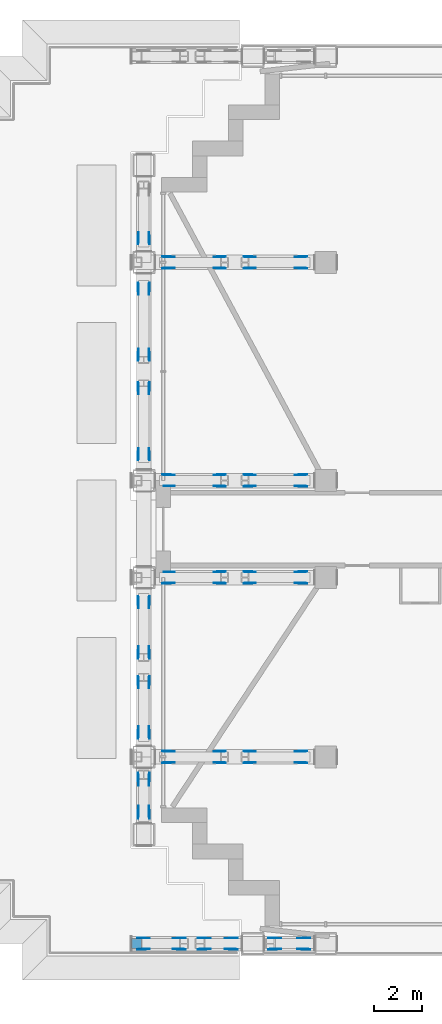
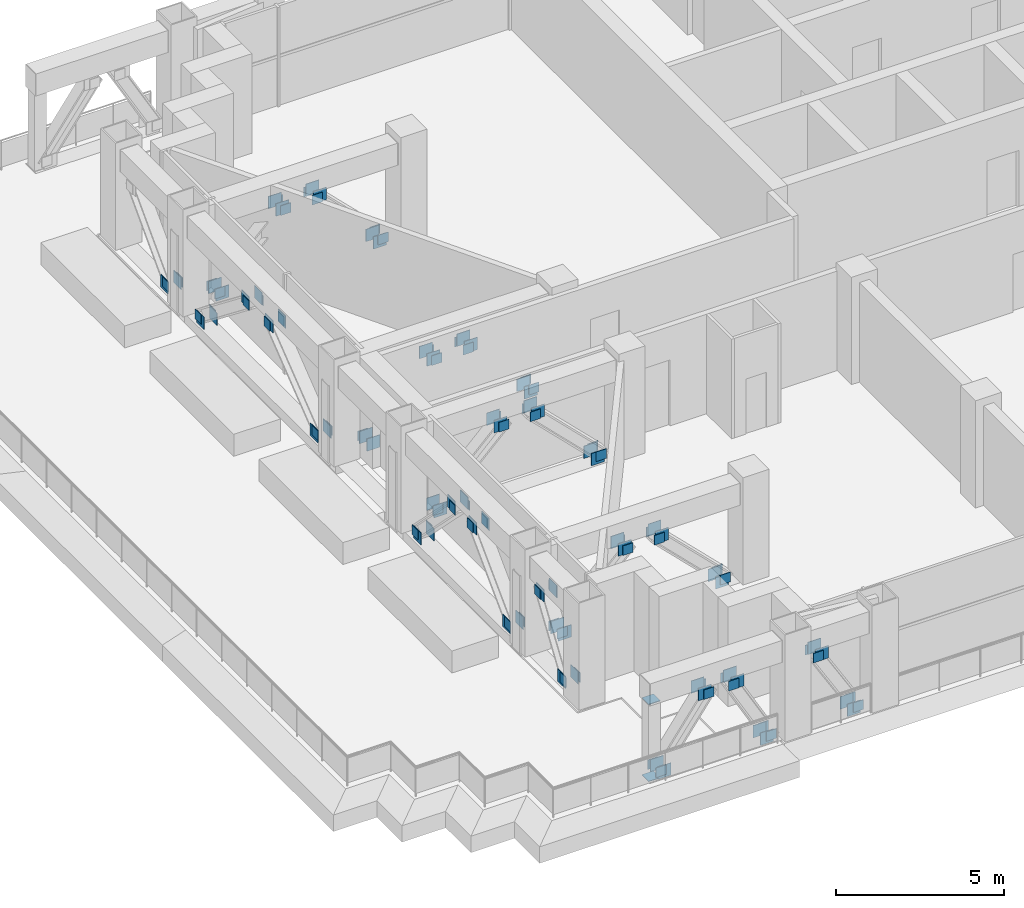
# One storey, part 13 of 19: 132 discrete accessories.
"""IFC4 building model written with IfcOpenShell, lengths in metres."""

from ifc_helpers import new_model, si_unit, direction, frame, origin, origin_2d, place, context, subcontext, project, spatial, rectangle, extrude, element, save


model = new_model("IFC4")

# Units and contexts
model_context = context("Model", 3, precision=1e-05, world=origin(), true_north=direction((0.0, 1.0)))
body_context = subcontext(model_context, "Body", "Model", "MODEL_VIEW")
ifc_project = project(units=[si_unit("LENGTHUNIT", "METRE"), si_unit("AREAUNIT", "SQUARE_METRE"), si_unit("VOLUMEUNIT", "CUBIC_METRE"), si_unit("PLANEANGLEUNIT", "RADIAN"), si_unit("MASSUNIT", "GRAM", prefix="KILO")], contexts=[model_context])

# Site, building, storey
site_placement = place(None, origin())
site = spatial("IfcSite", under=ifc_project, at=site_placement, CompositionType="ELEMENT")
building_placement = place(site_placement, origin())
building = spatial("IfcBuilding", under=site, at=building_placement, Name="Vidyagriha Tower", CompositionType="ELEMENT")
storey_placement = place(building_placement, frame((0.0, 0.0, 73.60009765625)))
storey = spatial("IfcBuildingStorey", under=building, at=storey_placement, Name="L18", CompositionType="ELEMENT", Elevation=73.60009765625)

# Discrete accessories
for number, where, name in (
    (1, (-29.4755859375, -16.878173828125, 0.0), "Truss gusset plate ASTM A572 Grade 50 20mm"),
    (2, (-29.4755859375, -17.32177734375, 0.0), "Truss gusset plate ASTM A572 Grade 50 20mm"),
    (3, (-28.07421875, -16.878173828125, 2.3701171875), "Truss gusset plate ASTM A572 Grade 50 20mm"),
    (4, (-28.07421875, -17.32177734375, 2.3701171875), "Truss gusset plate ASTM A572 Grade 50 20mm"),
    (5, (-26.9599609375, -16.878173828125, 2.3701171875), "Truss gusset plate ASTM A572 Grade 50 20mm"),
    (6, (-26.9599609375, -17.32177734375, 2.3701171875), "Truss gusset plate ASTM A572 Grade 50 20mm"),
    (7, (-25.940185546875, -16.878173828125, 0.0), "Truss gusset plate ASTM A572 Grade 50 20mm"),
    (8, (-25.940185546875, -17.32177734375, 0.0), "Truss gusset plate ASTM A572 Grade 50 20mm"),
    (9, (-24.052734375, -16.878173828125, 2.3701171875), "Truss gusset plate ASTM A572 Grade 50 20mm"),
    (10, (-24.052734375, -17.32177734375, 2.3701171875), "Truss gusset plate ASTM A572 Grade 50 20mm"),
    (11, (-22.947265625, -16.878173828125, 0.0), "Truss gusset plate ASTM A572 Grade 50 20mm"),
    (12, (-22.947265625, -17.32177734375, 0.0), "Truss gusset plate ASTM A572 Grade 50 20mm"),
    (13, (-28.4580078125, -9.17822265625, 0.0), "Truss gusset plate ASTM A572 Grade 50 20mm"),
    (14, (-28.4580078125, -9.621826171875, 0.0), "Truss gusset plate ASTM A572 Grade 50 20mm"),
    (15, (-26.39208984375, -9.17822265625, 2.3701171875), "Truss gusset plate ASTM A572 Grade 50 20mm"),
    (16, (-26.39208984375, -9.621826171875, 2.3701171875), "Truss gusset plate ASTM A572 Grade 50 20mm"),
    (17, (-25.10791015625, -9.17822265625, 2.3701171875), "Truss gusset plate ASTM A572 Grade 50 20mm"),
    (18, (-25.10791015625, -9.621826171875, 2.3701171875), "Truss gusset plate ASTM A572 Grade 50 20mm"),
    (19, (-23.0419921875, -9.17822265625, 0.0), "Truss gusset plate ASTM A572 Grade 50 20mm"),
    (20, (-23.0419921875, -9.621826171875, 0.0), "Truss gusset plate ASTM A572 Grade 50 20mm"),
    (21, (-28.4580078125, -1.778076171875, 0.0), "Truss gusset plate ASTM A572 Grade 50 20mm"),
    (22, (-28.4580078125, -2.221923828125, 0.0), "Truss gusset plate ASTM A572 Grade 50 20mm"),
    (23, (-26.39208984375, -1.778076171875, 2.3701171875), "Truss gusset plate ASTM A572 Grade 50 20mm"),
    (24, (-26.39208984375, -2.221923828125, 2.3701171875), "Truss gusset plate ASTM A572 Grade 50 20mm"),
    (25, (-25.10791015625, -1.778076171875, 2.3701171875), "Truss gusset plate ASTM A572 Grade 50 20mm"),
    (26, (-25.10791015625, -2.221923828125, 2.3701171875), "Truss gusset plate ASTM A572 Grade 50 20mm"),
    (27, (-23.0419921875, -1.778076171875, 0.0), "Truss gusset plate ASTM A572 Grade 50 20mm"),
    (28, (-23.0419921875, -2.221923828125, 0.0), "Truss gusset plate ASTM A572 Grade 50 20mm"),
    (29, (-28.4580078125, 2.221923828125, 0.0), "Truss gusset plate ASTM A572 Grade 50 20mm"),
    (30, (-28.4580078125, 1.778076171875, 0.0), "Truss gusset plate ASTM A572 Grade 50 20mm"),
    (31, (-26.39208984375, 2.221923828125, 2.3701171875), "Truss gusset plate ASTM A572 Grade 50 20mm"),
    (32, (-26.39208984375, 1.778076171875, 2.3701171875), "Truss gusset plate ASTM A572 Grade 50 20mm"),
    (33, (-25.10791015625, 2.221923828125, 2.3701171875), "Truss gusset plate ASTM A572 Grade 50 20mm"),
    (34, (-25.10791015625, 1.778076171875, 2.3701171875), "Truss gusset plate ASTM A572 Grade 50 20mm"),
    (35, (-23.0419921875, 2.221923828125, 0.0), "Truss gusset plate ASTM A572 Grade 50 20mm"),
    (36, (-23.0419921875, 1.778076171875, 0.0), "Truss gusset plate ASTM A572 Grade 50 20mm"),
    (37, (-28.4580078125, 11.221923828125, 0.0), "Truss gusset plate ASTM A572 Grade 50 20mm"),
    (38, (-28.4580078125, 10.778076171875, 0.0), "Truss gusset plate ASTM A572 Grade 50 20mm"),
    (39, (-26.39208984375, 11.221923828125, 2.3701171875), "Truss gusset plate ASTM A572 Grade 50 20mm"),
    (40, (-26.39208984375, 10.778076171875, 2.3701171875), "Truss gusset plate ASTM A572 Grade 50 20mm"),
    (41, (-25.10791015625, 11.221923828125, 2.3701171875), "Truss gusset plate ASTM A572 Grade 50 20mm"),
    (42, (-25.10791015625, 10.778076171875, 2.3701171875), "Truss gusset plate ASTM A572 Grade 50 20mm"),
    (43, (-23.0419921875, 11.221923828125, 0.0), "Truss gusset plate ASTM A572 Grade 50 20mm"),
    (44, (-23.0419921875, 10.778076171875, 0.0), "Truss gusset plate ASTM A572 Grade 50 20mm"),
):
    element("IfcDiscreteAccessory", number, at=place(storey_placement, frame(where)), inside=storey, Name=name, ObjectType="GUSSET PLATE", PredefinedType="USERDEFINED", context=body_context, shape_type="SweptSolid", body=[
        extrude(rectangle(XDim=0.449951171875, YDim=0.02001953125, at=origin_2d()), origin(), (0.0, 0.0, 1.0), 0.449951171875),
    ])
for number, where, z_axis, x_axis, name in (
    (45, (-29.721923828125, -11.637451171875, 0.0), (0.0, 0.0, 1.0), (0.0, 1.0, 0.0), "Truss gusset plate ASTM A572 Grade 50 20mm"),
    (46, (-29.278076171875, -11.637451171875, 0.0), (0.0, 0.0, 1.0), (0.0, 1.0, 0.0), "Truss gusset plate ASTM A572 Grade 50 20mm"),
    (47, (-29.721923828125, -10.362548828125, 2.3701171875), (0.0, 0.0, 1.0), (0.0, 1.0, 0.0), "Truss gusset plate ASTM A572 Grade 50 20mm"),
    (48, (-29.278076171875, -10.362548828125, 2.3701171875), (0.0, 0.0, 1.0), (0.0, 1.0, 0.0), "Truss gusset plate ASTM A572 Grade 50 20mm"),
    (49, (-29.721923828125, -8.3623046875, 0.0), (0.0, 0.0, 1.0), (0.0, 1.0, 0.0), "Truss gusset plate ASTM A572 Grade 50 20mm"),
    (50, (-29.278076171875, -8.3623046875, 0.0), (0.0, 0.0, 1.0), (0.0, 1.0, 0.0), "Truss gusset plate ASTM A572 Grade 50 20mm"),
    (51, (-29.721923828125, -6.337646484375, 2.3701171875), (0.0, 0.0, 1.0), (0.0, 1.0, 0.0), "Truss gusset plate ASTM A572 Grade 50 20mm"),
    (52, (-29.278076171875, -6.337646484375, 2.3701171875), (0.0, 0.0, 1.0), (0.0, 1.0, 0.0), "Truss gusset plate ASTM A572 Grade 50 20mm"),
    (53, (-29.721923828125, -5.0625, 2.3701171875), (0.0, 0.0, 1.0), (0.0, 1.0, 0.0), "Truss gusset plate ASTM A572 Grade 50 20mm"),
    (54, (-29.278076171875, -5.0625, 2.3701171875), (0.0, 0.0, 1.0), (0.0, 1.0, 0.0), "Truss gusset plate ASTM A572 Grade 50 20mm"),
    (55, (-29.721923828125, -3.03759765625, 0.0), (0.0, 0.0, 1.0), (0.0, 1.0, 0.0), "Truss gusset plate ASTM A572 Grade 50 20mm"),
    (56, (-29.278076171875, -3.03759765625, 0.0), (0.0, 0.0, 1.0), (0.0, 1.0, 0.0), "Truss gusset plate ASTM A572 Grade 50 20mm"),
    (57, (-29.721923828125, 3.108642578125, 0.0), (0.0, 0.0, 1.0), (0.0, 1.0, 0.0), "Truss gusset plate ASTM A572 Grade 50 20mm"),
    (58, (-29.278076171875, 3.108642578125, 0.0), (0.0, 0.0, 1.0), (0.0, 1.0, 0.0), "Truss gusset plate ASTM A572 Grade 50 20mm"),
    (59, (-29.721923828125, 5.79150390625, 2.3701171875), (0.0, 0.0, 1.0), (0.0, 1.0, 0.0), "Truss gusset plate ASTM A572 Grade 50 20mm"),
    (60, (-29.278076171875, 5.79150390625, 2.3701171875), (0.0, 0.0, 1.0), (0.0, 1.0, 0.0), "Truss gusset plate ASTM A572 Grade 50 20mm"),
    (61, (-29.721923828125, 7.20849609375, 2.3701171875), (0.0, 0.0, 1.0), (0.0, 1.0, 0.0), "Truss gusset plate ASTM A572 Grade 50 20mm"),
    (62, (-29.278076171875, 7.20849609375, 2.3701171875), (0.0, 0.0, 1.0), (0.0, 1.0, 0.0), "Truss gusset plate ASTM A572 Grade 50 20mm"),
    (63, (-29.721923828125, 9.891357421875, 0.0), (0.0, 0.0, 1.0), (0.0, 1.0, 0.0), "Truss gusset plate ASTM A572 Grade 50 20mm"),
    (64, (-29.278076171875, 9.891357421875, 0.0), (0.0, 0.0, 1.0), (0.0, 1.0, 0.0), "Truss gusset plate ASTM A572 Grade 50 20mm"),
    (65, (-29.721923828125, 12.02880859375, 0.0), (0.0, 0.0, 1.0), (0.0, 1.0, 0.0), "Truss gusset plate ASTM A572 Grade 50 20mm"),
    (66, (-29.278076171875, 12.02880859375, 0.0), (0.0, 0.0, 1.0), (0.0, 1.0, 0.0), "Truss gusset plate ASTM A572 Grade 50 20mm"),
):
    element("IfcDiscreteAccessory", number, at=place(storey_placement, frame(where, z_axis=z_axis, x_axis=x_axis)), inside=storey, Name=name, ObjectType="GUSSET PLATE", PredefinedType="USERDEFINED", context=body_context, shape_type="SweptSolid", body=[
        extrude(rectangle(XDim=0.449951171875, YDim=0.02001953125, at=origin_2d()), origin(), (0.0, 0.0, 1.0), 0.449951171875),
    ])
for number, where, z_axis, x_axis, name in (
    (67, (-29.597900390625, -17.34228515625, 0.10302734375), (0.0, 0.0, 1.0), (-1.0, 0.0, 0.0), "End plate ASTM A572 Grade 50 20mm"),
    (68, (-29.597900390625, -16.857666015625, 0.10302734375), (0.0, 0.0, 1.0), (-1.0, 0.0, 0.0), "End plate ASTM A572 Grade 50 20mm"),
):
    element("IfcDiscreteAccessory", number, at=place(storey_placement, frame(where, z_axis=z_axis, x_axis=x_axis)), inside=storey, Name=name, ObjectType="END PLATE", PredefinedType="USERDEFINED", context=body_context, shape_type="SweptSolid", body=[
        extrude(rectangle(XDim=0.35009765625, YDim=0.02001953125, at=origin_2d()), origin(), (0.0, 0.0, 1.0), 0.35009765625),
    ])
for number, where, name in (
    (69, (-27.9521484375, -16.857666015625, 2.36669921875), "End plate ASTM A572 Grade 50 20mm"),
    (70, (-27.9521484375, -17.34228515625, 2.36669921875), "End plate ASTM A572 Grade 50 20mm"),
):
    element("IfcDiscreteAccessory", number, at=place(storey_placement, frame(where)), inside=storey, Name=name, ObjectType="END PLATE", PredefinedType="USERDEFINED", context=body_context, shape_type="SweptSolid", body=[
        extrude(rectangle(XDim=0.35009765625, YDim=0.02001953125, at=origin_2d()), origin(), (0.0, 0.0, 1.0), 0.35009765625),
    ])
for number, where, z_axis, x_axis, name in (
    (71, (-27.098388671875, -17.34228515625, 2.3779296875), (0.0, 0.0, 1.0), (-1.0, 0.0, 0.0), "End plate ASTM A572 Grade 50 20mm"),
    (72, (-27.098388671875, -16.857666015625, 2.3779296875), (0.0, 0.0, 1.0), (-1.0, 0.0, 0.0), "End plate ASTM A572 Grade 50 20mm"),
):
    element("IfcDiscreteAccessory", number, at=place(storey_placement, frame(where, z_axis=z_axis, x_axis=x_axis)), inside=storey, Name=name, ObjectType="END PLATE", PredefinedType="USERDEFINED", context=body_context, shape_type="SweptSolid", body=[
        extrude(rectangle(XDim=0.35009765625, YDim=0.02001953125, at=origin_2d()), origin(), (0.0, 0.0, 1.0), 0.35009765625),
    ])
for number, where, name in (
    (73, (-25.801513671875, -16.857666015625, 0.091796875), "End plate ASTM A572 Grade 50 20mm"),
    (74, (-25.801513671875, -17.34228515625, 0.091796875), "End plate ASTM A572 Grade 50 20mm"),
):
    element("IfcDiscreteAccessory", number, at=place(storey_placement, frame(where)), inside=storey, Name=name, ObjectType="END PLATE", PredefinedType="USERDEFINED", context=body_context, shape_type="SweptSolid", body=[
        extrude(rectangle(XDim=0.35009765625, YDim=0.02001953125, at=origin_2d()), origin(), (0.0, 0.0, 1.0), 0.35009765625),
    ])
for number, where, z_axis, x_axis, name in (
    (75, (-24.187255859375, -17.34228515625, 2.375), (0.0, 0.0, 1.0), (-1.0, 0.0, 0.0), "End plate ASTM A572 Grade 50 20mm"),
    (76, (-24.187255859375, -16.857666015625, 2.375), (0.0, 0.0, 1.0), (-1.0, 0.0, 0.0), "End plate ASTM A572 Grade 50 20mm"),
):
    element("IfcDiscreteAccessory", number, at=place(storey_placement, frame(where, z_axis=z_axis, x_axis=x_axis)), inside=storey, Name=name, ObjectType="END PLATE", PredefinedType="USERDEFINED", context=body_context, shape_type="SweptSolid", body=[
        extrude(rectangle(XDim=0.35009765625, YDim=0.02001953125, at=origin_2d()), origin(), (0.0, 0.0, 1.0), 0.35009765625),
    ])
for number, where, name in (
    (77, (-22.812744140625, -16.857666015625, 0.0947265625), "End plate ASTM A572 Grade 50 20mm"),
    (78, (-22.812744140625, -17.34228515625, 0.0947265625), "End plate ASTM A572 Grade 50 20mm"),
):
    element("IfcDiscreteAccessory", number, at=place(storey_placement, frame(where)), inside=storey, Name=name, ObjectType="END PLATE", PredefinedType="USERDEFINED", context=body_context, shape_type="SweptSolid", body=[
        extrude(rectangle(XDim=0.35009765625, YDim=0.02001953125, at=origin_2d()), origin(), (0.0, 0.0, 1.0), 0.35009765625),
    ])
for number, where, name in (
    (79, (-29.796875, -17.10009765625, -0.00048828125), "End plate ASTM A572 Grade 50 20mm"),
    (80, (-29.796875, -17.10009765625, 2.80029296875), "End plate ASTM A572 Grade 50 20mm"),
):
    element("IfcDiscreteAccessory", number, at=place(storey_placement, frame(where)), inside=storey, Name=name, ObjectType="END PLATE", PredefinedType="USERDEFINED", context=body_context, shape_type="SweptSolid", body=[
        extrude(rectangle(XDim=0.406494140625, YDim=0.406494140625, at=origin_2d()), origin(), (0.0, 0.0, 1.0), 0.02001953125),
    ])
for number, where, z_axis, x_axis, name in (
    (81, (-28.55859375, -9.642333984375, 0.113037109375), (0.0, 0.0, 1.0), (-1.0, 0.0, 0.0), "End plate ASTM A572 Grade 50 20mm"),
    (82, (-28.55859375, -9.15771484375, 0.113037109375), (0.0, 0.0, 1.0), (-1.0, 0.0, 0.0), "End plate ASTM A572 Grade 50 20mm"),
):
    element("IfcDiscreteAccessory", number, at=place(storey_placement, frame(where, z_axis=z_axis, x_axis=x_axis)), inside=storey, Name=name, ObjectType="END PLATE", PredefinedType="USERDEFINED", context=body_context, shape_type="SweptSolid", body=[
        extrude(rectangle(XDim=0.35009765625, YDim=0.02001953125, at=origin_2d()), origin(), (0.0, 0.0, 1.0), 0.35009765625),
    ])
for number, where, name in (
    (83, (-26.29150390625, -9.15771484375, 2.3564453125), "End plate ASTM A572 Grade 50 20mm"),
    (84, (-26.29150390625, -9.642333984375, 2.3564453125), "End plate ASTM A572 Grade 50 20mm"),
):
    element("IfcDiscreteAccessory", number, at=place(storey_placement, frame(where)), inside=storey, Name=name, ObjectType="END PLATE", PredefinedType="USERDEFINED", context=body_context, shape_type="SweptSolid", body=[
        extrude(rectangle(XDim=0.35009765625, YDim=0.02001953125, at=origin_2d()), origin(), (0.0, 0.0, 1.0), 0.35009765625),
    ])
for number, where, z_axis, x_axis, name in (
    (85, (-25.20849609375, -9.642333984375, 2.3564453125), (0.0, 0.0, 1.0), (-1.0, 0.0, 0.0), "End plate ASTM A572 Grade 50 20mm"),
    (86, (-25.20849609375, -9.15771484375, 2.3564453125), (0.0, 0.0, 1.0), (-1.0, 0.0, 0.0), "End plate ASTM A572 Grade 50 20mm"),
):
    element("IfcDiscreteAccessory", number, at=place(storey_placement, frame(where, z_axis=z_axis, x_axis=x_axis)), inside=storey, Name=name, ObjectType="END PLATE", PredefinedType="USERDEFINED", context=body_context, shape_type="SweptSolid", body=[
        extrude(rectangle(XDim=0.35009765625, YDim=0.02001953125, at=origin_2d()), origin(), (0.0, 0.0, 1.0), 0.35009765625),
    ])
for number, where, name in (
    (87, (-22.94140625, -9.15771484375, 0.113037109375), "End plate ASTM A572 Grade 50 20mm"),
    (88, (-22.94140625, -9.642333984375, 0.113037109375), "End plate ASTM A572 Grade 50 20mm"),
):
    element("IfcDiscreteAccessory", number, at=place(storey_placement, frame(where)), inside=storey, Name=name, ObjectType="END PLATE", PredefinedType="USERDEFINED", context=body_context, shape_type="SweptSolid", body=[
        extrude(rectangle(XDim=0.35009765625, YDim=0.02001953125, at=origin_2d()), origin(), (0.0, 0.0, 1.0), 0.35009765625),
    ])
discrete_accessory_1_placement = place(storey_placement, frame((-28.55859375, -2.242431640625, 0.113037109375), z_axis=(0.0, 0.0, 1.0), x_axis=(-1.0, 0.0, 0.0)))
element("IfcDiscreteAccessory", 89, at=discrete_accessory_1_placement, inside=storey, Name="End plate ASTM A572 Grade 50 20mm", ObjectType="END PLATE", PredefinedType="USERDEFINED", context=body_context, shape_type="SweptSolid", body=[
    extrude(rectangle(XDim=0.35009765625, YDim=0.02001953125, at=origin_2d()), origin(), (0.0, 0.0, 1.0), 0.35009765625),
])
for number, where, name in (
    (90, (-26.29150390625, -1.757568359375, 2.3564453125), "End plate ASTM A572 Grade 50 20mm"),
    (91, (-26.29150390625, -2.242431640625, 2.3564453125), "End plate ASTM A572 Grade 50 20mm"),
):
    element("IfcDiscreteAccessory", number, at=place(storey_placement, frame(where)), inside=storey, Name=name, ObjectType="END PLATE", PredefinedType="USERDEFINED", context=body_context, shape_type="SweptSolid", body=[
        extrude(rectangle(XDim=0.35009765625, YDim=0.02001953125, at=origin_2d()), origin(), (0.0, 0.0, 1.0), 0.35009765625),
    ])
for number, where, z_axis, x_axis, name in (
    (92, (-25.20849609375, -2.242431640625, 2.3564453125), (0.0, 0.0, 1.0), (-1.0, 0.0, 0.0), "End plate ASTM A572 Grade 50 20mm"),
    (93, (-25.20849609375, -1.757568359375, 2.3564453125), (0.0, 0.0, 1.0), (-1.0, 0.0, 0.0), "End plate ASTM A572 Grade 50 20mm"),
):
    element("IfcDiscreteAccessory", number, at=place(storey_placement, frame(where, z_axis=z_axis, x_axis=x_axis)), inside=storey, Name=name, ObjectType="END PLATE", PredefinedType="USERDEFINED", context=body_context, shape_type="SweptSolid", body=[
        extrude(rectangle(XDim=0.35009765625, YDim=0.02001953125, at=origin_2d()), origin(), (0.0, 0.0, 1.0), 0.35009765625),
    ])
for number, where, name in (
    (94, (-22.94140625, -1.757568359375, 0.113037109375), "End plate ASTM A572 Grade 50 20mm"),
    (95, (-22.94140625, -2.242431640625, 0.113037109375), "End plate ASTM A572 Grade 50 20mm"),
):
    element("IfcDiscreteAccessory", number, at=place(storey_placement, frame(where)), inside=storey, Name=name, ObjectType="END PLATE", PredefinedType="USERDEFINED", context=body_context, shape_type="SweptSolid", body=[
        extrude(rectangle(XDim=0.35009765625, YDim=0.02001953125, at=origin_2d()), origin(), (0.0, 0.0, 1.0), 0.35009765625),
    ])
discrete_accessory_2_placement = place(storey_placement, frame((-28.55859375, 2.242431640625, 0.113037109375), z_axis=(0.0, 0.0, 1.0), x_axis=(-1.0, 0.0, 0.0)))
element("IfcDiscreteAccessory", 96, at=discrete_accessory_2_placement, inside=storey, Name="End plate ASTM A572 Grade 50 20mm", ObjectType="END PLATE", PredefinedType="USERDEFINED", context=body_context, shape_type="SweptSolid", body=[
    extrude(rectangle(XDim=0.35009765625, YDim=0.02001953125, at=origin_2d()), origin(), (0.0, 0.0, 1.0), 0.35009765625),
])
for number, where, name in (
    (97, (-26.29150390625, 2.242431640625, 2.3564453125), "End plate ASTM A572 Grade 50 20mm"),
    (98, (-26.29150390625, 1.757568359375, 2.3564453125), "End plate ASTM A572 Grade 50 20mm"),
):
    element("IfcDiscreteAccessory", number, at=place(storey_placement, frame(where)), inside=storey, Name=name, ObjectType="END PLATE", PredefinedType="USERDEFINED", context=body_context, shape_type="SweptSolid", body=[
        extrude(rectangle(XDim=0.35009765625, YDim=0.02001953125, at=origin_2d()), origin(), (0.0, 0.0, 1.0), 0.35009765625),
    ])
for number, where, z_axis, x_axis, name in (
    (99, (-25.20849609375, 1.757568359375, 2.3564453125), (0.0, 0.0, 1.0), (-1.0, 0.0, 0.0), "End plate ASTM A572 Grade 50 20mm"),
    (100, (-25.20849609375, 2.242431640625, 2.3564453125), (0.0, 0.0, 1.0), (-1.0, 0.0, 0.0), "End plate ASTM A572 Grade 50 20mm"),
):
    element("IfcDiscreteAccessory", number, at=place(storey_placement, frame(where, z_axis=z_axis, x_axis=x_axis)), inside=storey, Name=name, ObjectType="END PLATE", PredefinedType="USERDEFINED", context=body_context, shape_type="SweptSolid", body=[
        extrude(rectangle(XDim=0.35009765625, YDim=0.02001953125, at=origin_2d()), origin(), (0.0, 0.0, 1.0), 0.35009765625),
    ])
for number, where, name in (
    (101, (-22.94140625, 2.242431640625, 0.113037109375), "End plate ASTM A572 Grade 50 20mm"),
    (102, (-22.94140625, 1.757568359375, 0.113037109375), "End plate ASTM A572 Grade 50 20mm"),
):
    element("IfcDiscreteAccessory", number, at=place(storey_placement, frame(where)), inside=storey, Name=name, ObjectType="END PLATE", PredefinedType="USERDEFINED", context=body_context, shape_type="SweptSolid", body=[
        extrude(rectangle(XDim=0.35009765625, YDim=0.02001953125, at=origin_2d()), origin(), (0.0, 0.0, 1.0), 0.35009765625),
    ])
for number, where, z_axis, x_axis, name in (
    (103, (-28.55859375, 10.757568359375, 0.113037109375), (0.0, 0.0, 1.0), (-1.0, 0.0, 0.0), "End plate ASTM A572 Grade 50 20mm"),
    (104, (-28.55859375, 11.242431640625, 0.113037109375), (0.0, 0.0, 1.0), (-1.0, 0.0, 0.0), "End plate ASTM A572 Grade 50 20mm"),
):
    element("IfcDiscreteAccessory", number, at=place(storey_placement, frame(where, z_axis=z_axis, x_axis=x_axis)), inside=storey, Name=name, ObjectType="END PLATE", PredefinedType="USERDEFINED", context=body_context, shape_type="SweptSolid", body=[
        extrude(rectangle(XDim=0.35009765625, YDim=0.02001953125, at=origin_2d()), origin(), (0.0, 0.0, 1.0), 0.35009765625),
    ])
for number, where, name in (
    (105, (-26.29150390625, 11.242431640625, 2.3564453125), "End plate ASTM A572 Grade 50 20mm"),
    (106, (-26.29150390625, 10.757568359375, 2.3564453125), "End plate ASTM A572 Grade 50 20mm"),
):
    element("IfcDiscreteAccessory", number, at=place(storey_placement, frame(where)), inside=storey, Name=name, ObjectType="END PLATE", PredefinedType="USERDEFINED", context=body_context, shape_type="SweptSolid", body=[
        extrude(rectangle(XDim=0.35009765625, YDim=0.02001953125, at=origin_2d()), origin(), (0.0, 0.0, 1.0), 0.35009765625),
    ])
for number, where, z_axis, x_axis, name in (
    (107, (-25.20849609375, 10.757568359375, 2.3564453125), (0.0, 0.0, 1.0), (-1.0, 0.0, 0.0), "End plate ASTM A572 Grade 50 20mm"),
    (108, (-25.20849609375, 11.242431640625, 2.3564453125), (0.0, 0.0, 1.0), (-1.0, 0.0, 0.0), "End plate ASTM A572 Grade 50 20mm"),
):
    element("IfcDiscreteAccessory", number, at=place(storey_placement, frame(where, z_axis=z_axis, x_axis=x_axis)), inside=storey, Name=name, ObjectType="END PLATE", PredefinedType="USERDEFINED", context=body_context, shape_type="SweptSolid", body=[
        extrude(rectangle(XDim=0.35009765625, YDim=0.02001953125, at=origin_2d()), origin(), (0.0, 0.0, 1.0), 0.35009765625),
    ])
for number, where, name in (
    (109, (-22.94140625, 11.242431640625, 0.113037109375), "End plate ASTM A572 Grade 50 20mm"),
    (110, (-22.94140625, 10.757568359375, 0.113037109375), "End plate ASTM A572 Grade 50 20mm"),
):
    element("IfcDiscreteAccessory", number, at=place(storey_placement, frame(where)), inside=storey, Name=name, ObjectType="END PLATE", PredefinedType="USERDEFINED", context=body_context, shape_type="SweptSolid", body=[
        extrude(rectangle(XDim=0.35009765625, YDim=0.02001953125, at=origin_2d()), origin(), (0.0, 0.0, 1.0), 0.35009765625),
    ])
for number, where, z_axis, x_axis, name in (
    (111, (-29.257568359375, -11.7646484375, 0.099853515625), (0.0, 0.0, 1.0), (0.0, -1.0, 0.0), "End plate ASTM A572 Grade 50 20mm"),
    (112, (-29.742431640625, -11.7646484375, 0.099853515625), (0.0, 0.0, 1.0), (0.0, -1.0, 0.0), "End plate ASTM A572 Grade 50 20mm"),
    (113, (-29.742431640625, -10.2353515625, 2.369873046875), (0.0, 0.0, 1.0), (0.0, 1.0, 0.0), "End plate ASTM A572 Grade 50 20mm"),
    (114, (-29.257568359375, -10.2353515625, 2.369873046875), (0.0, 0.0, 1.0), (0.0, 1.0, 0.0), "End plate ASTM A572 Grade 50 20mm"),
    (115, (-29.257568359375, -8.464111328125, 0.11279296875), (0.0, 0.0, 1.0), (0.0, -1.0, 0.0), "End plate ASTM A572 Grade 50 20mm"),
    (116, (-29.742431640625, -8.464111328125, 0.11279296875), (0.0, 0.0, 1.0), (0.0, -1.0, 0.0), "End plate ASTM A572 Grade 50 20mm"),
    (117, (-29.742431640625, -6.23583984375, 2.35693359375), (0.0, 0.0, 1.0), (0.0, 1.0, 0.0), "End plate ASTM A572 Grade 50 20mm"),
    (118, (-29.257568359375, -6.23583984375, 2.35693359375), (0.0, 0.0, 1.0), (0.0, 1.0, 0.0), "End plate ASTM A572 Grade 50 20mm"),
    (119, (-29.257568359375, -5.1640625, 2.35693359375), (0.0, 0.0, 1.0), (0.0, -1.0, 0.0), "End plate ASTM A572 Grade 50 20mm"),
    (120, (-29.742431640625, -5.1640625, 2.35693359375), (0.0, 0.0, 1.0), (0.0, -1.0, 0.0), "End plate ASTM A572 Grade 50 20mm"),
    (121, (-29.742431640625, -2.935791015625, 0.11279296875), (0.0, 0.0, 1.0), (0.0, 1.0, 0.0), "End plate ASTM A572 Grade 50 20mm"),
    (122, (-29.257568359375, -2.935791015625, 0.11279296875), (0.0, 0.0, 1.0), (0.0, 1.0, 0.0), "End plate ASTM A572 Grade 50 20mm"),
    (123, (-29.257568359375, 3.021484375, 0.11572265625), (0.0, 0.0, 1.0), (0.0, -1.0, 0.0), "End plate ASTM A572 Grade 50 20mm"),
    (124, (-29.742431640625, 3.021484375, 0.11572265625), (0.0, 0.0, 1.0), (0.0, -1.0, 0.0), "End plate ASTM A572 Grade 50 20mm"),
    (125, (-29.742431640625, 5.878662109375, 2.35400390625), (0.0, 0.0, 1.0), (0.0, 1.0, 0.0), "End plate ASTM A572 Grade 50 20mm"),
    (126, (-29.257568359375, 5.878662109375, 2.35400390625), (0.0, 0.0, 1.0), (0.0, 1.0, 0.0), "End plate ASTM A572 Grade 50 20mm"),
    (127, (-29.257568359375, 7.121337890625, 2.35400390625), (0.0, 0.0, 1.0), (0.0, -1.0, 0.0), "End plate ASTM A572 Grade 50 20mm"),
    (128, (-29.742431640625, 7.121337890625, 2.35400390625), (0.0, 0.0, 1.0), (0.0, -1.0, 0.0), "End plate ASTM A572 Grade 50 20mm"),
    (129, (-29.742431640625, 9.978515625, 0.11572265625), (0.0, 0.0, 1.0), (0.0, 1.0, 0.0), "End plate ASTM A572 Grade 50 20mm"),
    (130, (-29.257568359375, 9.978515625, 0.11572265625), (0.0, 0.0, 1.0), (0.0, 1.0, 0.0), "End plate ASTM A572 Grade 50 20mm"),
    (131, (-29.257568359375, 11.9248046875, 0.112060546875), (0.0, 0.0, 1.0), (0.0, -1.0, 0.0), "End plate ASTM A572 Grade 50 20mm"),
    (132, (-29.742431640625, 11.9248046875, 0.112060546875), (0.0, 0.0, 1.0), (0.0, -1.0, 0.0), "End plate ASTM A572 Grade 50 20mm"),
):
    element("IfcDiscreteAccessory", number, at=place(storey_placement, frame(where, z_axis=z_axis, x_axis=x_axis)), inside=storey, Name=name, ObjectType="END PLATE", PredefinedType="USERDEFINED", context=body_context, shape_type="SweptSolid", body=[
        extrude(rectangle(XDim=0.35009765625, YDim=0.02001953125, at=origin_2d()), origin(), (0.0, 0.0, 1.0), 0.35009765625),
    ])

save(model, "model.ifc")
